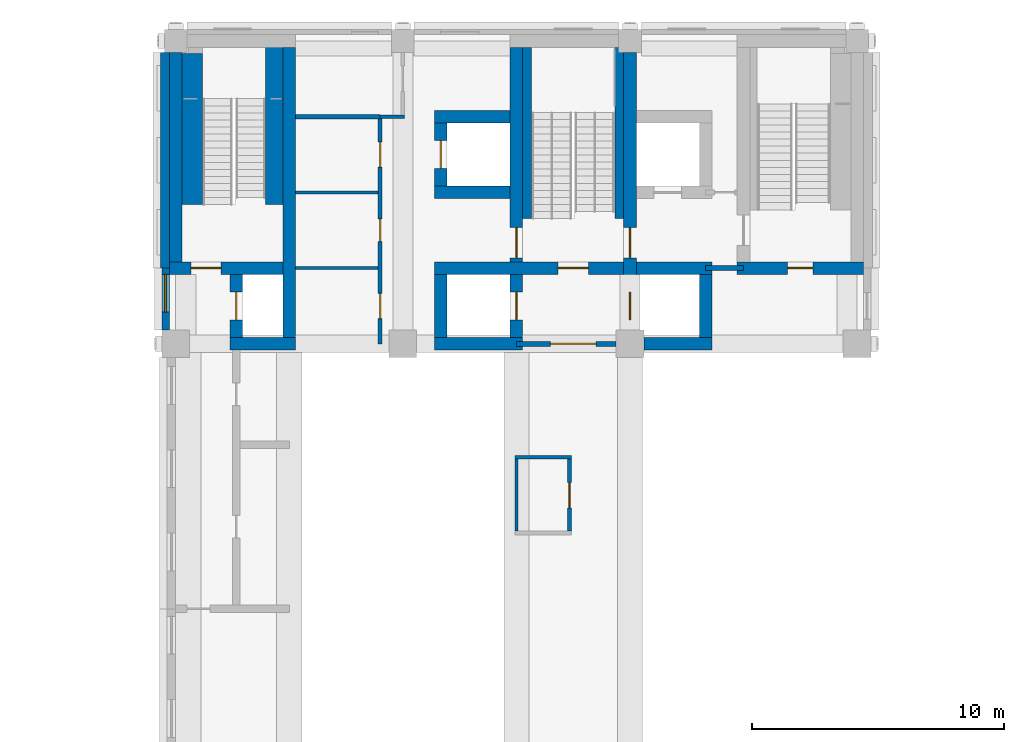
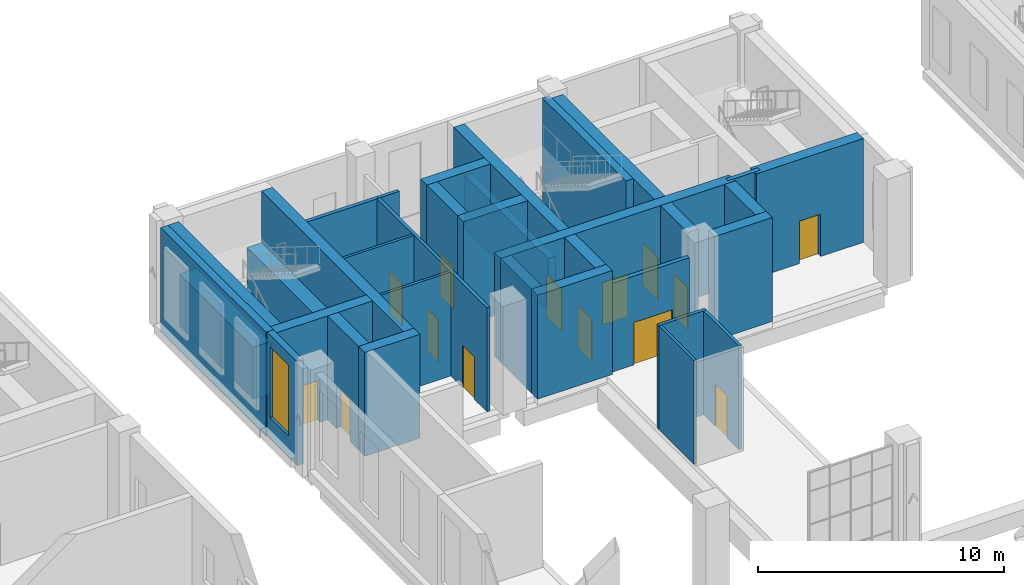
# One storey, part 31 of 53: 32 walls, 14 doors, 1 window, 15 openings.
"""IFC4 building model written with IfcOpenShell, lengths in metres."""

from ifc_helpers import new_model, si_unit, direction, frame, frame_2d, origin, place, context, subcontext, project, spatial, rectangle, extrude, material, layer, layer_set, type_object, element, fill, save


model = new_model("IFC4")

# Units and contexts
model_context = context("Model", 3, precision=1e-05, world=origin(), true_north=direction((0.0, 1.0)))
body_context = subcontext(model_context, "Body", "Model", "MODEL_VIEW")
ifc_project = project(units=[si_unit("LENGTHUNIT", "METRE"), si_unit("AREAUNIT", "SQUARE_METRE"), si_unit("VOLUMEUNIT", "CUBIC_METRE"), si_unit("PLANEANGLEUNIT", "RADIAN"), si_unit("MASSUNIT", "GRAM", prefix="KILO")], contexts=[model_context])

# Site, building, storey
site_placement = place(None, origin())
site = spatial("IfcSite", under=ifc_project, at=site_placement, CompositionType="ELEMENT")
building_placement = place(site_placement, origin())
building = spatial("IfcBuilding", under=site, at=building_placement, Name="Aurelan Courthouse", CompositionType="ELEMENT")
storey_placement = place(building_placement, frame((0.0, 0.0, 12.0)))
storey = spatial("IfcBuildingStorey", under=building, at=storey_placement, Name="L02", CompositionType="ELEMENT", Elevation=12.0)

# Walls
ifc_material_1 = material(Name="Gypsum board on metal studs")
ifc_layer_1 = layer(ifc_material_1, 0.175048828125)
ifc_layer_set_1 = layer_set([ifc_layer_1], Name="Gypsum board on metal studs")
wall_type_1 = type_object("IfcWallType", Name="Chambers acoustic partition 175 NOT RATED", PredefinedType="PARTITIONING", material=ifc_layer_set_1)
wall_1_placement = place(storey_placement, frame((40.75, 63.0, 0.0), z_axis=(0.0, 0.0, 1.0), x_axis=(1.0, 0.0, 0.0)))
element("IfcWall", 1, at=wall_1_placement, inside=storey, type_object=wall_type_1, Name="Chambers acoustic partition L02-048", PredefinedType="PARTITIONING", context=body_context, shape_type="SweptSolid", body=[
    extrude(rectangle(XDim=3.35009765625, YDim=0.175048828125, at=frame_2d((1.675048828125, 0.0))), origin(), (0.0, 0.0, 1.0), 5.14990234375),
])
ifc_layer_2 = layer(ifc_material_1, 0.14990234375)
ifc_layer_set_2 = layer_set([ifc_layer_2], Name="Gypsum board on metal studs")
wall_type_2 = type_object("IfcWallType", Name="Corridor partition 150 EI 60", PredefinedType="PARTITIONING", material=ifc_layer_set_2)
wall_2_placement = place(storey_placement, frame((49.4375, 49.5, 0.0), z_axis=(0.0, 0.0, 1.0), x_axis=(1.0, 0.0, 0.0)))
element("IfcWall", 2, at=wall_2_placement, inside=storey, type_object=wall_type_2, Name="Corridor partition L02-027", PredefinedType="PARTITIONING", context=body_context, shape_type="SweptSolid", body=[
    extrude(rectangle(XDim=2.237548828125, YDim=0.14990234375, at=frame_2d((1.11865234375, 0.0))), origin(), (0.0, 0.0, 1.0), 5.14990234375),
])
wall_3_placement = place(storey_placement, frame((44.10009765625, 63.0, 0.0), z_axis=(0.0, 0.0, 1.0), x_axis=(1.0, 0.0, 0.0)))
element("IfcWall", 3, at=wall_3_placement, inside=storey, type_object=wall_type_2, Name="Corridor partition L02-049", PredefinedType="PARTITIONING", context=body_context, shape_type="SweptSolid", body=[
    extrude(rectangle(XDim=0.974853515625, YDim=0.14990234375, at=frame_2d((0.4873046875, 0.0))), origin(), (0.0, 0.0, 1.0), 5.14990234375),
])

# Wall, openings, doors
wall_4_placement = place(storey_placement, frame((44.10009765625, 54.0, 0.0), z_axis=(0.0, 0.0, 1.0), x_axis=(0.0, 1.0, 0.0)))
wall_4 = element("IfcWall", 4, at=wall_4_placement, inside=storey, type_object=wall_type_2, Name="Corridor partition L02-068", PredefinedType="PARTITIONING", context=body_context, shape_type="SweptSolid", body=[
    extrude(rectangle(XDim=8.925048828125, YDim=0.14990234375, at=frame_2d((4.46240234375, 0.0))), origin(), (0.0, 0.0, 1.0), 5.14990234375),
])
opening_1_placement = place(wall_4_placement, frame((1.0, 0.0, 0.0)))
opening_1 = element("IfcOpeningElement", 5, at=opening_1_placement, cuts=wall_4, Name="Opening D-L02-026", PredefinedType="OPENING", context=body_context, shape_type="SweptSolid", body=[
    extrude(rectangle(XDim=1.0, YDim=2.10009765625, at=frame_2d((0.5, 1.050048828125))), frame((0.0, 0.0849609375, 0.0), z_axis=(0.0, -1.0, 0.0), x_axis=(1.0, 0.0, 0.0)), (0.0, 0.0, 1.0), 0.169921875),
])
opening_2_placement = place(wall_4_placement, frame((4.050048828125, 0.0, 0.0)))
opening_2 = element("IfcOpeningElement", 6, at=opening_2_placement, cuts=wall_4, Name="Opening D-L02-027", PredefinedType="OPENING", context=body_context, shape_type="SweptSolid", body=[
    extrude(rectangle(XDim=0.89990234375, YDim=2.10009765625, at=frame_2d((0.449951171875, 1.050048828125))), frame((0.0, 0.0849609375, 0.0), z_axis=(0.0, -1.0, 0.0), x_axis=(1.0, 0.0, 0.0)), (0.0, 0.0, 1.0), 0.169921875),
])
opening_3_placement = place(wall_4_placement, frame((7.0, 0.0, 0.0)))
opening_3 = element("IfcOpeningElement", 7, at=opening_3_placement, cuts=wall_4, Name="Opening D-L02-028", PredefinedType="OPENING", context=body_context, shape_type="SweptSolid", body=[
    extrude(rectangle(XDim=1.0, YDim=2.10009765625, at=frame_2d((0.5, 1.050048828125))), frame((0.0, 0.0849609375, 0.0), z_axis=(0.0, -1.0, 0.0), x_axis=(1.0, 0.0, 0.0)), (0.0, 0.0, 1.0), 0.169921875),
])
ifc_material_2 = material(Name="Steel", Category="steel")
door_type_1 = type_object("IfcDoorType", Name="Single door 1000 x 2100 FD60", OperationType="SINGLE_SWING_LEFT", PredefinedType="DOOR", material=ifc_material_2)
door_1_placement = place(opening_1_placement, origin())
door_1 = element("IfcDoor", 8, at=door_1_placement, inside=storey, type_object=door_type_1, Name="Single door D-L02-026", OperationType="SINGLE_SWING_RIGHT", OverallHeight=2.10009765625, OverallWidth=1.0, PredefinedType="DOOR", context=body_context, shape_type="SweptSolid", body=[
    extrude(rectangle(XDim=1.0, YDim=2.10009765625, at=frame_2d((0.5, 1.050048828125))), frame((0.0, 0.02490234375, 0.0), z_axis=(0.0, -1.0, 0.0), x_axis=(1.0, 0.0, 0.0)), (0.0, 0.0, 1.0), 0.050048828125),
])
fill(opening_1, door_1)
door_2_placement = place(opening_3_placement, origin())
door_2 = element("IfcDoor", 9, at=door_2_placement, inside=storey, type_object=door_type_1, Name="Single door D-L02-028", OperationType="SINGLE_SWING_LEFT", OverallHeight=2.10009765625, OverallWidth=1.0, PredefinedType="DOOR", context=body_context, shape_type="SweptSolid", body=[
    extrude(rectangle(XDim=1.0, YDim=2.10009765625, at=frame_2d((0.5, 1.050048828125))), frame((0.0, 0.02490234375, 0.0), z_axis=(0.0, -1.0, 0.0), x_axis=(1.0, 0.0, 0.0)), (0.0, 0.0, 1.0), 0.050048828125),
])
fill(opening_3, door_2)
door_type_2 = type_object("IfcDoorType", Name="Single door 900 x 2100 FD60", OperationType="SINGLE_SWING_LEFT", PredefinedType="DOOR", material=ifc_material_2)
door_3_placement = place(opening_2_placement, origin())
door_3 = element("IfcDoor", 10, at=door_3_placement, inside=storey, type_object=door_type_2, Name="Single door D-L02-027", OperationType="SINGLE_SWING_RIGHT", OverallHeight=2.10009765625, OverallWidth=0.89990234375, PredefinedType="DOOR", context=body_context, shape_type="SweptSolid", body=[
    extrude(rectangle(XDim=0.89990234375, YDim=2.10009765625, at=frame_2d((0.449951171875, 1.050048828125))), frame((0.0, 0.02490234375, 0.0), z_axis=(0.0, -1.0, 0.0), x_axis=(1.0, 0.0, 0.0)), (0.0, 0.0, 1.0), 0.050048828125),
])
fill(opening_2, door_3)

# Wall, opening, door
wall_5_placement = place(storey_placement, frame((51.60009765625, 46.574951171875, 0.0), z_axis=(0.0, 0.0, 1.0), x_axis=(0.0, 1.0, 0.0)))
wall_5 = element("IfcWall", 11, at=wall_5_placement, inside=storey, type_object=wall_type_2, Name="Corridor partition L02-072", PredefinedType="PARTITIONING", context=body_context, shape_type="SweptSolid", body=[
    extrude(rectangle(XDim=2.85009765625, YDim=0.14990234375, at=frame_2d((1.425048828125, 0.0))), origin(), (0.0, 0.0, 1.0), 5.14990234375),
])
opening_4_placement = place(wall_5_placement, frame((0.925048828125, 0.0, 0.0)))
opening_4 = element("IfcOpeningElement", 12, at=opening_4_placement, cuts=wall_5, Name="Opening D-L02-022", PredefinedType="OPENING", context=body_context, shape_type="SweptSolid", body=[
    extrude(rectangle(XDim=1.0, YDim=2.10009765625, at=frame_2d((0.5, 1.050048828125))), frame((0.0, 0.0849609375, 0.0), z_axis=(0.0, -1.0, 0.0), x_axis=(1.0, 0.0, 0.0)), (0.0, 0.0, 1.0), 0.169921875),
])
door_4_placement = place(opening_4_placement, origin())
door_4 = element("IfcDoor", 13, at=door_4_placement, inside=storey, type_object=door_type_1, Name="Single door D-L02-022", OperationType="SINGLE_SWING_LEFT", OverallHeight=2.10009765625, OverallWidth=1.0, PredefinedType="DOOR", context=body_context, shape_type="SweptSolid", body=[
    extrude(rectangle(XDim=1.0, YDim=2.10009765625, at=frame_2d((0.5, 1.050048828125))), frame((0.0, 0.02490234375, 0.0), z_axis=(0.0, -1.0, 0.0), x_axis=(1.0, 0.0, 0.0)), (0.0, 0.0, 1.0), 0.050048828125),
])
fill(opening_4, door_4)

# Wall, opening, window
ifc_material_3 = material(Name="Limestone cladding", Category="masonry")
ifc_layer_3 = layer(ifc_material_3, 0.0849609375, Name="Facing")
ifc_material_4 = material(Name="Ventilated cavity")
ifc_layer_4 = layer(ifc_material_4, 0.02490234375, ventilated=True, Name="Ventilated cavity")
ifc_material_5 = material(Name="Mineral wool insulation")
ifc_layer_5 = layer(ifc_material_5, 0.044921875, Name="Insulation")
ifc_material_6 = material(Name="Concrete C30", Category="concrete")
ifc_layer_6 = layer(ifc_material_6, 0.14501953125, Name="Structure")
ifc_layer_set_3 = layer_set([ifc_layer_3, ifc_layer_4, ifc_layer_5, ifc_layer_6], Name="Concrete C30")
wall_type_3 = type_object("IfcWallType", Name="Courtroom Block stone-faced wall 300", PredefinedType="SOLIDWALL", material=ifc_layer_set_3)
wall_6_placement = place(storey_placement, frame((35.60009765625, 54.550048828125, 0.0), z_axis=(0.0, 0.0, 1.0), x_axis=(0.0, 1.0, 0.0)))
wall_6 = element("IfcWall", 14, at=wall_6_placement, inside=storey, type_object=wall_type_3, Name="Facade wall FW-V2-L02-009", PredefinedType="SOLIDWALL", context=body_context, shape_type="SweptSolid", body=[
    extrude(rectangle(XDim=2.449951171875, YDim=0.300048828125, at=frame_2d((1.22509765625, 0.0))), origin(), (0.0, 0.0, 1.0), 5.14990234375),
])
opening_5_placement = place(wall_6_placement, frame((0.699951171875, 0.0, 1.050048828125)))
opening_5 = element("IfcOpeningElement", 15, at=opening_5_placement, cuts=wall_6, Name="Opening WN-V2-L02-010", PredefinedType="OPENING", context=body_context, shape_type="SweptSolid", body=[
    extrude(rectangle(XDim=1.5, YDim=3.5, at=frame_2d((0.75, 1.75))), frame((0.0, 0.159912109375, 0.0), z_axis=(0.0, -1.0, 0.0), x_axis=(1.0, 0.0, 0.0)), (0.0, 0.0, 1.0), 0.320068359375),
])
ifc_material_7 = material(Name="Bronze-finished aluminium and glass", Category="aluminium")
window_type = type_object("IfcWindowType", Name="Courtroom Block glazed slot 1500 x 3500, sill 1050", PartitioningType="SINGLE_PANEL", PredefinedType="WINDOW", material=ifc_material_7)
window_placement = place(opening_5_placement, origin())
window = element("IfcWindow", 16, at=window_placement, inside=storey, type_object=window_type, Name="Glazed slot WN-V2-L02-010", OverallHeight=3.5, OverallWidth=1.5, PartitioningType="SINGLE_PANEL", PredefinedType="WINDOW", context=body_context, shape_type="SweptSolid", body=[
    extrude(rectangle(XDim=1.5, YDim=3.5, at=frame_2d((0.75, 1.75))), frame((0.0, 0.030029296875, 0.0), z_axis=(0.0, -1.0, 0.0), x_axis=(1.0, 0.0, 0.0)), (0.0, 0.0, 1.0), 0.06005859375),
])
fill(opening_5, window)

# Wall
ifc_layer_7 = layer(ifc_material_3, 0.10009765625, Name="Facing")
ifc_layer_8 = layer(ifc_material_4, 0.02490234375, ventilated=True, Name="Ventilated cavity")
ifc_layer_9 = layer(ifc_material_5, 0.050048828125, Name="Insulation")
ifc_layer_10 = layer(ifc_material_6, 0.175048828125, Name="Structure")
ifc_layer_set_4 = layer_set([ifc_layer_7, ifc_layer_8, ifc_layer_9, ifc_layer_10], Name="Concrete C30")
wall_type_4 = type_object("IfcWallType", Name="Courtroom Block stone-faced wall 350", PredefinedType="SOLIDWALL", material=ifc_layer_set_4)
wall_7_placement = place(storey_placement, frame((35.574951171875, 57.0, 0.0), z_axis=(0.0, 0.0, 1.0), x_axis=(0.0, 1.0, 0.0)))
element("IfcWall", 17, at=wall_7_placement, inside=storey, type_object=wall_type_4, Name="Facade wall FW-V2-L02-010", PredefinedType="SOLIDWALL", context=body_context, shape_type="SweptSolid", body=[
    extrude(rectangle(XDim=8.550048828125, YDim=0.35009765625, at=frame_2d((4.27490234375, 0.0))), origin(), (0.0, 0.0, 1.0), 5.14990234375),
])

# Wall, opening, door
ifc_material_8 = material(Name="Masonry block", Category="masonry")
ifc_layer_11 = layer(ifc_material_8, 0.199951171875)
ifc_layer_set_5 = layer_set([ifc_layer_11], Name="Masonry block")
wall_type_5 = type_object("IfcWallType", Name="Lift lobby wall 200 EI 60", PredefinedType="PARTITIONING", material=ifc_layer_set_5)
wall_8_placement = place(storey_placement, frame((49.5, 54.0, 0.0), z_axis=(0.0, 0.0, 1.0), x_axis=(1.0, 0.0, 0.0)))
wall_8 = element("IfcWall", 18, at=wall_8_placement, inside=storey, type_object=wall_type_5, Name="Lift lobby wall L02-031", PredefinedType="PARTITIONING", context=body_context, shape_type="SweptSolid", body=[
    extrude(rectangle(XDim=3.949951171875, YDim=0.199951171875, at=frame_2d((1.97509765625, 0.0))), origin(), (0.0, 0.0, 1.0), 4.39990234375),
])
opening_6_placement = place(wall_8_placement, frame((1.35009765625, 0.0, 0.0)))
opening_6 = element("IfcOpeningElement", 19, at=opening_6_placement, cuts=wall_8, Name="Opening D-L02-021", PredefinedType="OPENING", context=body_context, shape_type="SweptSolid", body=[
    extrude(rectangle(XDim=1.800048828125, YDim=2.10009765625, at=frame_2d((0.89990234375, 1.050048828125))), frame((0.0, 0.10986328125, 0.0), z_axis=(0.0, -1.0, 0.0), x_axis=(1.0, 0.0, 0.0)), (0.0, 0.0, 1.0), 0.219970703125),
])
door_type_3 = type_object("IfcDoorType", Name="Double door 1800 x 2100 FD60", OperationType="DOUBLE_DOOR_SINGLE_SWING", PredefinedType="DOOR", material=ifc_material_2)
door_5_placement = place(opening_6_placement, origin())
door_5 = element("IfcDoor", 20, at=door_5_placement, inside=storey, type_object=door_type_3, Name="Double door D-L02-021", OperationType="DOUBLE_DOOR_SINGLE_SWING", OverallHeight=2.10009765625, OverallWidth=1.800048828125, PredefinedType="DOOR", context=body_context, shape_type="SweptSolid", body=[
    extrude(rectangle(XDim=1.800048828125, YDim=2.10009765625, at=frame_2d((0.89990234375, 1.050048828125))), frame((0.0, 0.02490234375, 0.0), z_axis=(0.0, -1.0, 0.0), x_axis=(1.0, 0.0, 0.0)), (0.0, 0.0, 1.0), 0.050048828125),
])
fill(opening_6, door_5)

# Walls
wall_9_placement = place(storey_placement, frame((57.0, 57.0, 0.0), z_axis=(0.0, 0.0, 1.0), x_axis=(1.0, 0.0, 0.0)))
element("IfcWall", 21, at=wall_9_placement, inside=storey, type_object=wall_type_5, Name="Lift lobby wall L02-042", PredefinedType="PARTITIONING", context=body_context, shape_type="SweptSolid", body=[
    extrude(rectangle(XDim=1.5, YDim=0.199951171875, at=frame_2d((0.75, 0.0))), origin(), (0.0, 0.0, 1.0), 5.14990234375),
])
ifc_material_9 = material(Name="Concrete C50", Category="concrete")
ifc_layer_12 = layer(ifc_material_9, 0.5)
ifc_layer_set_6 = layer_set([ifc_layer_12], Name="Concrete C50")
wall_type_6 = type_object("IfcWallType", Name="RC shear wall 500", PredefinedType="SHEAR", material=ifc_layer_set_6)
wall_10_placement = place(storey_placement, frame((38.14990234375, 54.0, 0.0), z_axis=(0.0, 0.0, 1.0), x_axis=(1.0, 0.0, 0.0)))
element("IfcWall", 22, at=wall_10_placement, inside=storey, type_object=wall_type_6, Name="Core wall SW-L02-028", PredefinedType="SHEAR", context=body_context, shape_type="SweptSolid", body=[
    extrude(rectangle(XDim=2.60009765625, YDim=0.5, at=frame_2d((1.300048828125, 0.0))), origin(), (0.0, 0.0, 1.0), 5.14990234375),
])
wall_11_placement = place(storey_placement, frame((46.25, 54.0, 0.0), z_axis=(0.0, 0.0, 1.0), x_axis=(1.0, 0.0, 0.0)))
element("IfcWall", 23, at=wall_11_placement, inside=storey, type_object=wall_type_6, Name="Core wall SW-L02-029", PredefinedType="SHEAR", context=body_context, shape_type="SweptSolid", body=[
    extrude(rectangle(XDim=3.5, YDim=0.5, at=frame_2d((1.75, 0.0))), origin(), (0.0, 0.0, 1.0), 5.14990234375),
])
wall_12_placement = place(storey_placement, frame((54.550048828125, 54.0, 0.0), z_axis=(0.0, 0.0, 1.0), x_axis=(1.0, 0.0, 0.0)))
element("IfcWall", 24, at=wall_12_placement, inside=storey, type_object=wall_type_6, Name="Core wall SW-L02-030", PredefinedType="SHEAR", context=body_context, shape_type="SweptSolid", body=[
    extrude(rectangle(XDim=2.699951171875, YDim=0.5, at=frame_2d((1.35009765625, 0.0))), origin(), (0.0, 0.0, 1.0), 5.14990234375),
])

# Wall, opening, door
wall_13_placement = place(storey_placement, frame((38.39990234375, 54.25, 0.0), z_axis=(0.0, 0.0, 1.0), x_axis=(0.0, 1.0, 0.0)))
wall_13 = element("IfcWall", 25, at=wall_13_placement, inside=storey, type_object=wall_type_6, Name="Core wall SW-L02-031", PredefinedType="SHEAR", context=body_context, shape_type="SweptSolid", body=[
    extrude(rectangle(XDim=2.5, YDim=0.5, at=frame_2d((1.25, 0.0))), origin(), (0.0, 0.0, 1.0), 5.14990234375),
])
opening_7_placement = place(wall_13_placement, frame((0.699951171875, 0.0, 0.0)))
opening_7 = element("IfcOpeningElement", 26, at=opening_7_placement, cuts=wall_13, Name="Opening LD-V2-C1-L02", PredefinedType="OPENING", context=body_context, shape_type="SweptSolid", body=[
    extrude(rectangle(XDim=1.10009765625, YDim=2.10009765625, at=frame_2d((0.550048828125, 1.050048828125))), frame((0.0, 0.260009765625, 0.0), z_axis=(0.0, -1.0, 0.0), x_axis=(1.0, 0.0, 0.0)), (0.0, 0.0, 1.0), 0.52001953125),
])
door_type_4 = type_object("IfcDoorType", Name="Lift landing door 1100 x 2100 FD90", OperationType="SLIDING_TO_LEFT", PredefinedType="DOOR", material=ifc_material_2)
door_6_placement = place(opening_7_placement, origin())
door_6 = element("IfcDoor", 27, at=door_6_placement, inside=storey, type_object=door_type_4, Name="Lift landing door LD-V2-C1-L02", OperationType="SLIDING_TO_LEFT", OverallHeight=2.10009765625, OverallWidth=1.10009765625, PredefinedType="DOOR", context=body_context, shape_type="SweptSolid", body=[
    extrude(rectangle(XDim=1.10009765625, YDim=2.10009765625, at=frame_2d((0.550048828125, 1.050048828125))), frame((0.0, 0.02490234375, 0.0), z_axis=(0.0, -1.0, 0.0), x_axis=(1.0, 0.0, 0.0)), (0.0, 0.0, 1.0), 0.050048828125),
])
fill(opening_7, door_6)

# Walls
wall_14_placement = place(storey_placement, frame((40.5, 54.25, 0.0), z_axis=(0.0, 0.0, 1.0), x_axis=(0.0, 1.0, 0.0)))
element("IfcWall", 28, at=wall_14_placement, inside=storey, type_object=wall_type_6, Name="Core wall SW-L02-032", PredefinedType="SHEAR", context=body_context, shape_type="SweptSolid", body=[
    extrude(rectangle(XDim=11.5, YDim=0.5, at=frame_2d((5.75, 0.0))), origin(), (0.0, 0.0, 1.0), 5.14990234375),
])
wall_15_placement = place(storey_placement, frame((46.5, 54.25, 0.0), z_axis=(0.0, 0.0, 1.0), x_axis=(0.0, 1.0, 0.0)))
element("IfcWall", 29, at=wall_15_placement, inside=storey, type_object=wall_type_6, Name="Core wall SW-L02-033", PredefinedType="SHEAR", context=body_context, shape_type="SweptSolid", body=[
    extrude(rectangle(XDim=2.5, YDim=0.5, at=frame_2d((1.25, 0.0))), origin(), (0.0, 0.0, 1.0), 5.14990234375),
])

# Wall, openings, doors
wall_16_placement = place(storey_placement, frame((49.5, 54.25, 0.0), z_axis=(0.0, 0.0, 1.0), x_axis=(0.0, 1.0, 0.0)))
wall_16 = element("IfcWall", 30, at=wall_16_placement, inside=storey, type_object=wall_type_6, Name="Core wall SW-L02-034", PredefinedType="SHEAR", context=body_context, shape_type="SweptSolid", body=[
    extrude(rectangle(XDim=11.5, YDim=0.5, at=frame_2d((5.75, 0.0))), origin(), (0.0, 0.0, 1.0), 5.14990234375),
])
opening_8_placement = place(wall_16_placement, frame((0.699951171875, 0.0, 0.0)))
opening_8 = element("IfcOpeningElement", 31, at=opening_8_placement, cuts=wall_16, Name="Opening LD-V2-P1-L02", PredefinedType="OPENING", context=body_context, shape_type="SweptSolid", body=[
    extrude(rectangle(XDim=1.10009765625, YDim=2.10009765625, at=frame_2d((0.550048828125, 1.050048828125))), frame((0.0, 0.260009765625, 0.0), z_axis=(0.0, -1.0, 0.0), x_axis=(1.0, 0.0, 0.0)), (0.0, 0.0, 1.0), 0.52001953125),
])
opening_9_placement = place(wall_16_placement, frame((4.349853515625, 0.0, 0.0), z_axis=(0.0, 0.0, 1.0), x_axis=(-1.0, 0.0, 0.0)))
opening_9 = element("IfcOpeningElement", 32, at=opening_9_placement, cuts=wall_16, Name="Opening D-L02-020", PredefinedType="OPENING", context=body_context, shape_type="SweptSolid", body=[
    extrude(rectangle(XDim=1.199951171875, YDim=2.10009765625, at=frame_2d((0.60009765625, 1.050048828125))), frame((0.0, 0.260009765625, 0.0), z_axis=(0.0, -1.0, 0.0), x_axis=(1.0, 0.0, 0.0)), (0.0, 0.0, 1.0), 0.52001953125),
])
door_7_placement = place(opening_8_placement, origin())
door_7 = element("IfcDoor", 33, at=door_7_placement, inside=storey, type_object=door_type_4, Name="Lift landing door LD-V2-P1-L02", OperationType="SLIDING_TO_LEFT", OverallHeight=2.10009765625, OverallWidth=1.10009765625, PredefinedType="DOOR", context=body_context, shape_type="SweptSolid", body=[
    extrude(rectangle(XDim=1.10009765625, YDim=2.10009765625, at=frame_2d((0.550048828125, 1.050048828125))), frame((0.0, 0.02490234375, 0.0), z_axis=(0.0, -1.0, 0.0), x_axis=(1.0, 0.0, 0.0)), (0.0, 0.0, 1.0), 0.050048828125),
])
fill(opening_8, door_7)
door_type_5 = type_object("IfcDoorType", Name="Single door 1200 x 2100 FD90", OperationType="SINGLE_SWING_LEFT", PredefinedType="DOOR", material=ifc_material_2)
door_8_placement = place(opening_9_placement, origin())
door_8 = element("IfcDoor", 34, at=door_8_placement, inside=storey, type_object=door_type_5, Name="Single door D-L02-020", OperationType="SINGLE_SWING_RIGHT", OverallHeight=2.10009765625, OverallWidth=1.199951171875, PredefinedType="DOOR", context=body_context, shape_type="SweptSolid", body=[
    extrude(rectangle(XDim=1.199951171875, YDim=2.10009765625, at=frame_2d((0.60009765625, 1.050048828125))), frame((0.0, 0.02490234375, 0.0), z_axis=(0.0, -1.0, 0.0), x_axis=(1.0, 0.0, 0.0)), (0.0, 0.0, 1.0), 0.050048828125),
])
fill(opening_9, door_8)

# Wall
wall_17_placement = place(storey_placement, frame((57.0, 54.25, 0.0), z_axis=(0.0, 0.0, 1.0), x_axis=(0.0, 1.0, 0.0)))
element("IfcWall", 35, at=wall_17_placement, inside=storey, type_object=wall_type_6, Name="Core wall SW-L02-035", PredefinedType="SHEAR", context=body_context, shape_type="SweptSolid", body=[
    extrude(rectangle(XDim=2.5, YDim=0.5, at=frame_2d((1.25, 0.0))), origin(), (0.0, 0.0, 1.0), 5.14990234375),
])

# Wall, openings, doors
wall_18_placement = place(storey_placement, frame((54.0, 54.550048828125, 0.0), z_axis=(0.0, 0.0, 1.0), x_axis=(0.0, 1.0, 0.0)))
wall_18 = element("IfcWall", 36, at=wall_18_placement, inside=storey, type_object=wall_type_6, Name="Core wall SW-L02-036", PredefinedType="SHEAR", context=body_context, shape_type="SweptSolid", body=[
    extrude(rectangle(XDim=11.0, YDim=0.5, at=frame_2d((5.5, 0.0))), origin(), (0.0, 0.0, 1.0), 5.14990234375),
])
opening_10_placement = place(wall_18_placement, frame((0.39990234375, 0.0, 0.0)))
opening_10 = element("IfcOpeningElement", 37, at=opening_10_placement, cuts=wall_18, Name="Opening LD-V2-P2-L02", PredefinedType="OPENING", context=body_context, shape_type="SweptSolid", body=[
    extrude(rectangle(XDim=1.10009765625, YDim=2.10009765625, at=frame_2d((0.550048828125, 1.050048828125))), frame((0.0, 0.260009765625, 0.0), z_axis=(0.0, -1.0, 0.0), x_axis=(1.0, 0.0, 0.0)), (0.0, 0.0, 1.0), 0.52001953125),
])
opening_11_placement = place(wall_18_placement, frame((2.85009765625, 0.0, 0.0)))
opening_11 = element("IfcOpeningElement", 38, at=opening_11_placement, cuts=wall_18, Name="Opening D-L02-016", PredefinedType="OPENING", context=body_context, shape_type="SweptSolid", body=[
    extrude(rectangle(XDim=1.199951171875, YDim=2.10009765625, at=frame_2d((0.60009765625, 1.050048828125))), frame((0.0, 0.260009765625, 0.0), z_axis=(0.0, -1.0, 0.0), x_axis=(1.0, 0.0, 0.0)), (0.0, 0.0, 1.0), 0.52001953125),
])
door_9_placement = place(opening_10_placement, origin())
door_9 = element("IfcDoor", 39, at=door_9_placement, inside=storey, type_object=door_type_4, Name="Lift landing door LD-V2-P2-L02", OperationType="SLIDING_TO_LEFT", OverallHeight=2.10009765625, OverallWidth=1.10009765625, PredefinedType="DOOR", context=body_context, shape_type="SweptSolid", body=[
    extrude(rectangle(XDim=1.10009765625, YDim=2.10009765625, at=frame_2d((0.550048828125, 1.050048828125))), frame((0.0, 0.02490234375, 0.0), z_axis=(0.0, -1.0, 0.0), x_axis=(1.0, 0.0, 0.0)), (0.0, 0.0, 1.0), 0.050048828125),
])
fill(opening_10, door_9)
door_10_placement = place(opening_11_placement, origin())
door_10 = element("IfcDoor", 40, at=door_10_placement, inside=storey, type_object=door_type_5, Name="Single door D-L02-016", OperationType="SINGLE_SWING_LEFT", OverallHeight=2.10009765625, OverallWidth=1.199951171875, PredefinedType="DOOR", context=body_context, shape_type="SweptSolid", body=[
    extrude(rectangle(XDim=1.199951171875, YDim=2.10009765625, at=frame_2d((0.60009765625, 1.050048828125))), frame((0.0, 0.02490234375, 0.0), z_axis=(0.0, -1.0, 0.0), x_axis=(1.0, 0.0, 0.0)), (0.0, 0.0, 1.0), 0.050048828125),
])
fill(opening_11, door_10)

# Wall, opening, door
wall_19_placement = place(storey_placement, frame((35.75, 57.0, 0.0), z_axis=(0.0, 0.0, 1.0), x_axis=(1.0, 0.0, 0.0)))
wall_19 = element("IfcWall", 41, at=wall_19_placement, inside=storey, type_object=wall_type_6, Name="Core wall SW-L02-039", PredefinedType="SHEAR", context=body_context, shape_type="SweptSolid", body=[
    extrude(rectangle(XDim=4.5, YDim=0.5, at=frame_2d((2.25, 0.0))), origin(), (0.0, 0.0, 1.0), 5.14990234375),
])
opening_12_placement = place(wall_19_placement, frame((0.85009765625, 0.0, 0.0)))
opening_12 = element("IfcOpeningElement", 42, at=opening_12_placement, cuts=wall_19, Name="Opening D-L02-011", PredefinedType="OPENING", context=body_context, shape_type="SweptSolid", body=[
    extrude(rectangle(XDim=1.199951171875, YDim=2.10009765625, at=frame_2d((0.60009765625, 1.050048828125))), frame((0.0, 0.260009765625, 0.0), z_axis=(0.0, -1.0, 0.0), x_axis=(1.0, 0.0, 0.0)), (0.0, 0.0, 1.0), 0.52001953125),
])
door_11_placement = place(opening_12_placement, origin())
door_11 = element("IfcDoor", 43, at=door_11_placement, inside=storey, type_object=door_type_5, Name="Single door D-L02-011", OperationType="SINGLE_SWING_LEFT", OverallHeight=2.10009765625, OverallWidth=1.199951171875, PredefinedType="DOOR", context=body_context, shape_type="SweptSolid", body=[
    extrude(rectangle(XDim=1.199951171875, YDim=2.10009765625, at=frame_2d((0.60009765625, 1.050048828125))), frame((0.0, 0.02490234375, 0.0), z_axis=(0.0, -1.0, 0.0), x_axis=(1.0, 0.0, 0.0)), (0.0, 0.0, 1.0), 0.050048828125),
])
fill(opening_12, door_11)

wall_20_placement = place(storey_placement, frame((46.25, 57.0, 0.0), z_axis=(0.0, 0.0, 1.0), x_axis=(1.0, 0.0, 0.0)))
wall_20 = element("IfcWall", 44, at=wall_20_placement, inside=storey, type_object=wall_type_6, Name="Core wall SW-L02-040", PredefinedType="SHEAR", context=body_context, shape_type="SweptSolid", body=[
    extrude(rectangle(XDim=11.0, YDim=0.5, at=frame_2d((5.5, 0.0))), origin(), (0.0, 0.0, 1.0), 5.14990234375),
])
opening_13_placement = place(wall_20_placement, frame((4.89990234375, 0.0, 0.0)))
opening_13 = element("IfcOpeningElement", 45, at=opening_13_placement, cuts=wall_20, Name="Opening D-L02-014", PredefinedType="OPENING", context=body_context, shape_type="SweptSolid", body=[
    extrude(rectangle(XDim=1.199951171875, YDim=2.10009765625, at=frame_2d((0.60009765625, 1.050048828125))), frame((0.0, 0.260009765625, 0.0), z_axis=(0.0, -1.0, 0.0), x_axis=(1.0, 0.0, 0.0)), (0.0, 0.0, 1.0), 0.52001953125),
])
door_12_placement = place(opening_13_placement, origin())
door_12 = element("IfcDoor", 46, at=door_12_placement, inside=storey, type_object=door_type_5, Name="Single door D-L02-014", OperationType="SINGLE_SWING_LEFT", OverallHeight=2.10009765625, OverallWidth=1.199951171875, PredefinedType="DOOR", context=body_context, shape_type="SweptSolid", body=[
    extrude(rectangle(XDim=1.199951171875, YDim=2.10009765625, at=frame_2d((0.60009765625, 1.050048828125))), frame((0.0, 0.02490234375, 0.0), z_axis=(0.0, -1.0, 0.0), x_axis=(1.0, 0.0, 0.0)), (0.0, 0.0, 1.0), 0.050048828125),
])
fill(opening_13, door_12)

wall_21_placement = place(storey_placement, frame((58.25, 57.0, 0.0), z_axis=(0.0, 0.0, 1.0), x_axis=(1.0, 0.0, 0.0)))
wall_21 = element("IfcWall", 47, at=wall_21_placement, inside=storey, type_object=wall_type_6, Name="Core wall SW-L02-041", PredefinedType="SHEAR", context=body_context, shape_type="SweptSolid", body=[
    extrude(rectangle(XDim=5.0, YDim=0.5, at=frame_2d((2.5, 0.0))), origin(), (0.0, 0.0, 1.0), 5.14990234375),
])
opening_14_placement = place(wall_21_placement, frame((2.0, 0.0, 0.0)))
opening_14 = element("IfcOpeningElement", 48, at=opening_14_placement, cuts=wall_21, Name="Opening D-L02-030", PredefinedType="OPENING", context=body_context, shape_type="SweptSolid", body=[
    extrude(rectangle(XDim=1.0, YDim=2.10009765625, at=frame_2d((0.5, 1.050048828125))), frame((0.0, 0.260009765625, 0.0), z_axis=(0.0, -1.0, 0.0), x_axis=(1.0, 0.0, 0.0)), (0.0, 0.0, 1.0), 0.52001953125),
])
door_type_6 = type_object("IfcDoorType", Name="Single door 1000 x 2100 FD90", OperationType="SINGLE_SWING_LEFT", PredefinedType="DOOR", material=ifc_material_2)
door_13_placement = place(opening_14_placement, origin())
door_13 = element("IfcDoor", 49, at=door_13_placement, inside=storey, type_object=door_type_6, Name="Single door D-L02-030", OperationType="SINGLE_SWING_LEFT", OverallHeight=2.10009765625, OverallWidth=1.0, PredefinedType="DOOR", context=body_context, shape_type="SweptSolid", body=[
    extrude(rectangle(XDim=1.0, YDim=2.10009765625, at=frame_2d((0.5, 1.050048828125))), frame((0.0, 0.02490234375, 0.0), z_axis=(0.0, -1.0, 0.0), x_axis=(1.0, 0.0, 0.0)), (0.0, 0.0, 1.0), 0.050048828125),
])
fill(opening_14, door_13)

# Walls
wall_22_placement = place(storey_placement, frame((36.0, 57.25, 0.0), z_axis=(0.0, 0.0, 1.0), x_axis=(0.0, 1.0, 0.0)))
element("IfcWall", 50, at=wall_22_placement, inside=storey, type_object=wall_type_6, Name="Core wall SW-L02-050", PredefinedType="SHEAR", context=body_context, shape_type="SweptSolid", body=[
    extrude(rectangle(XDim=8.300048828125, YDim=0.5, at=frame_2d((4.14990234375, 0.0))), origin(), (0.0, 0.0, 1.0), 5.14990234375),
])
wall_23_placement = place(storey_placement, frame((46.25, 60.0, 0.0), z_axis=(0.0, 0.0, 1.0), x_axis=(1.0, 0.0, 0.0)))
element("IfcWall", 51, at=wall_23_placement, inside=storey, type_object=wall_type_6, Name="Core wall SW-L02-059", PredefinedType="SHEAR", context=body_context, shape_type="SweptSolid", body=[
    extrude(rectangle(XDim=3.0, YDim=0.5, at=frame_2d((1.5, 0.0))), origin(), (0.0, 0.0, 1.0), 5.14990234375),
])

# Wall, opening, door
wall_24_placement = place(storey_placement, frame((46.5, 60.25, 0.0), z_axis=(0.0, 0.0, 1.0), x_axis=(0.0, 1.0, 0.0)))
wall_24 = element("IfcWall", 52, at=wall_24_placement, inside=storey, type_object=wall_type_6, Name="Core wall SW-L02-064", PredefinedType="SHEAR", context=body_context, shape_type="SweptSolid", body=[
    extrude(rectangle(XDim=2.5, YDim=0.5, at=frame_2d((1.25, 0.0))), origin(), (0.0, 0.0, 1.0), 5.14990234375),
])
opening_15_placement = place(wall_24_placement, frame((0.699951171875, 0.0, 0.0)))
opening_15 = element("IfcOpeningElement", 53, at=opening_15_placement, cuts=wall_24, Name="Opening LD-V2-J1-L02", PredefinedType="OPENING", context=body_context, shape_type="SweptSolid", body=[
    extrude(rectangle(XDim=1.10009765625, YDim=2.10009765625, at=frame_2d((0.550048828125, 1.050048828125))), frame((0.0, 0.260009765625, 0.0), z_axis=(0.0, -1.0, 0.0), x_axis=(1.0, 0.0, 0.0)), (0.0, 0.0, 1.0), 0.52001953125),
])
door_14_placement = place(opening_15_placement, origin())
door_14 = element("IfcDoor", 54, at=door_14_placement, inside=storey, type_object=door_type_4, Name="Lift landing door LD-V2-J1-L02", OperationType="SLIDING_TO_LEFT", OverallHeight=2.10009765625, OverallWidth=1.10009765625, PredefinedType="DOOR", context=body_context, shape_type="SweptSolid", body=[
    extrude(rectangle(XDim=1.10009765625, YDim=2.10009765625, at=frame_2d((0.550048828125, 1.050048828125))), frame((0.0, 0.02490234375, 0.0), z_axis=(0.0, -1.0, 0.0), x_axis=(1.0, 0.0, 0.0)), (0.0, 0.0, 1.0), 0.050048828125),
])
fill(opening_15, door_14)

# Walls
wall_25_placement = place(storey_placement, frame((46.25, 63.0, 0.0), z_axis=(0.0, 0.0, 1.0), x_axis=(1.0, 0.0, 0.0)))
element("IfcWall", 55, at=wall_25_placement, inside=storey, type_object=wall_type_6, Name="Core wall SW-L02-069", PredefinedType="SHEAR", context=body_context, shape_type="SweptSolid", body=[
    extrude(rectangle(XDim=3.0, YDim=0.5, at=frame_2d((1.5, 0.0))), origin(), (0.0, 0.0, 1.0), 5.14990234375),
])
ifc_layer_13 = layer(ifc_material_6, 0.35009765625)
ifc_layer_set_7 = layer_set([ifc_layer_13], Name="Concrete C30")
wall_type_7 = type_object("IfcWallType", Name="Stair well wall 350 EI 120 load-bearing", PredefinedType="SHEAR", material=ifc_layer_set_7)
wall_26_placement = place(storey_placement, frame((49.925048828125, 58.9599609375, 0.0), z_axis=(0.0, 0.0, 1.0), x_axis=(0.0, 1.0, 0.0)))
element("IfcWall", 56, at=wall_26_placement, inside=storey, type_object=wall_type_7, Name="Stair well wall ST-2A-L02 A", PredefinedType="SHEAR", context=body_context, shape_type="SweptSolid", body=[
    extrude(rectangle(XDim=6.7900390625, YDim=0.35009765625, at=frame_2d((3.39501953125, 0.0))), origin(), (0.0, 0.0, 1.0), 2.587158203125),
])
wall_27_placement = place(storey_placement, frame((53.574951171875, 58.9599609375, 0.0), z_axis=(0.0, 0.0, 1.0), x_axis=(0.0, 1.0, 0.0)))
element("IfcWall", 57, at=wall_27_placement, inside=storey, type_object=wall_type_7, Name="Stair well wall ST-2A-L02 B", PredefinedType="SHEAR", context=body_context, shape_type="SweptSolid", body=[
    extrude(rectangle(XDim=6.7900390625, YDim=0.35009765625, at=frame_2d((3.39501953125, 0.0))), origin(), (0.0, 0.0, 1.0), 5.14990234375),
])
ifc_layer_14 = layer(ifc_material_6, 0.68994140625)
ifc_layer_set_8 = layer_set([ifc_layer_14], Name="Concrete C30")
wall_type_8 = type_object("IfcWallType", Name="Stair well wall 690 EI 120 load-bearing", PredefinedType="SHEAR", material=ifc_layer_set_8)
wall_28_placement = place(storey_placement, frame((39.905029296875, 59.510009765625, 0.0), z_axis=(0.0, 0.0, 1.0), x_axis=(0.0, 1.0, 0.0)))
element("IfcWall", 58, at=wall_28_placement, inside=storey, type_object=wall_type_8, Name="Stair well wall CS-2-L02 B", PredefinedType="SHEAR", context=body_context, shape_type="SweptSolid", body=[
    extrude(rectangle(XDim=6.239990234375, YDim=0.68994140625, at=frame_2d((3.1201171875, 0.0))), origin(), (0.0, 0.0, 1.0), 2.587158203125),
])
ifc_layer_15 = layer(ifc_material_6, 0.81005859375)
ifc_layer_set_9 = layer_set([ifc_layer_15], Name="Concrete C30")
wall_type_9 = type_object("IfcWallType", Name="Stair well wall 810 EI 120 load-bearing", PredefinedType="SHEAR", material=ifc_layer_set_9)
wall_29_placement = place(storey_placement, frame((36.655029296875, 59.510009765625, 0.0), z_axis=(0.0, 0.0, 1.0), x_axis=(0.0, 1.0, 0.0)))
element("IfcWall", 59, at=wall_29_placement, inside=storey, type_object=wall_type_9, Name="Stair well wall CS-2-L02 A", PredefinedType="SHEAR", context=body_context, shape_type="SweptSolid", body=[
    extrude(rectangle(XDim=5.989990234375, YDim=0.81005859375, at=frame_2d((2.9951171875, 0.0))), origin(), (0.0, 0.0, 1.0), 2.587158203125),
])
ifc_material_10 = material(Name="Moisture-resistant board on metal studs")
ifc_layer_16 = layer(ifc_material_10, 0.125)
ifc_layer_set_10 = layer_set([ifc_layer_16], Name="Moisture-resistant board on metal studs")
wall_type_10 = type_object("IfcWallType", Name="Wet-area partition 125 NOT RATED", PredefinedType="PARTITIONING", material=ifc_layer_set_10)
for number, where, z_axis, x_axis, name in (
    (60, (40.75, 57.0, 0.0), (0.0, 0.0, 1.0), (1.0, 0.0, 0.0), "Wet-area partition L02-041"),
    (61, (40.75, 60.0, 0.0), (0.0, 0.0, 1.0), (1.0, 0.0, 0.0), "Wet-area partition L02-046"),
):
    element("IfcWall", number, at=place(storey_placement, frame(where, z_axis=z_axis, x_axis=x_axis)), inside=storey, type_object=wall_type_10, Name=name, PredefinedType="PARTITIONING", context=body_context, shape_type="SweptSolid", body=[
        extrude(rectangle(XDim=3.27490234375, YDim=0.125, at=frame_2d((1.637451171875, 0.0))), origin(), (0.0, 0.0, 1.0), 5.14990234375),
    ])
wall_30_placement = place(storey_placement, frame((49.5, 46.574951171875, 0.0), z_axis=(0.0, 0.0, 1.0), x_axis=(0.0, 1.0, 0.0)))
element("IfcWall", 62, at=wall_30_placement, inside=storey, type_object=wall_type_10, Name="Wet-area partition L02-071", PredefinedType="PARTITIONING", context=body_context, shape_type="SweptSolid", body=[
    extrude(rectangle(XDim=2.85009765625, YDim=0.125, at=frame_2d((1.425048828125, 0.0))), origin(), (0.0, 0.0, 1.0), 5.14990234375),
])

save(model, "model.ifc")
